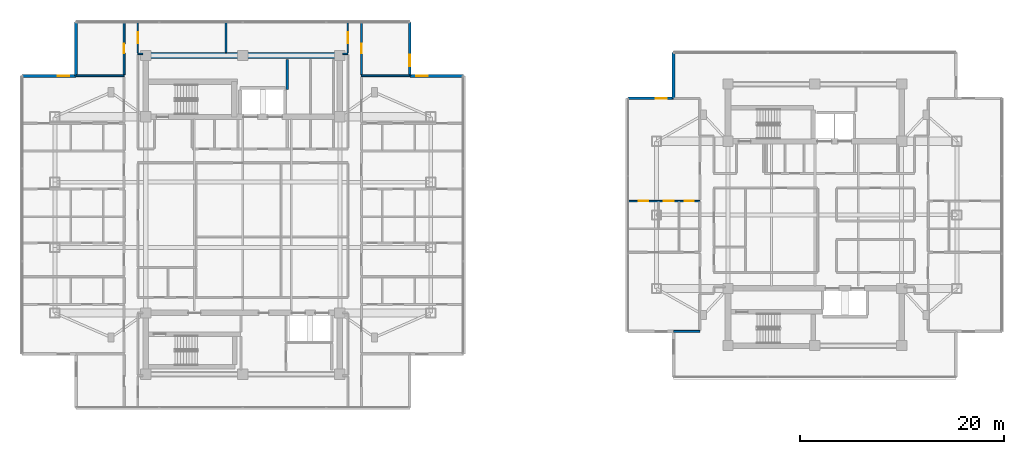
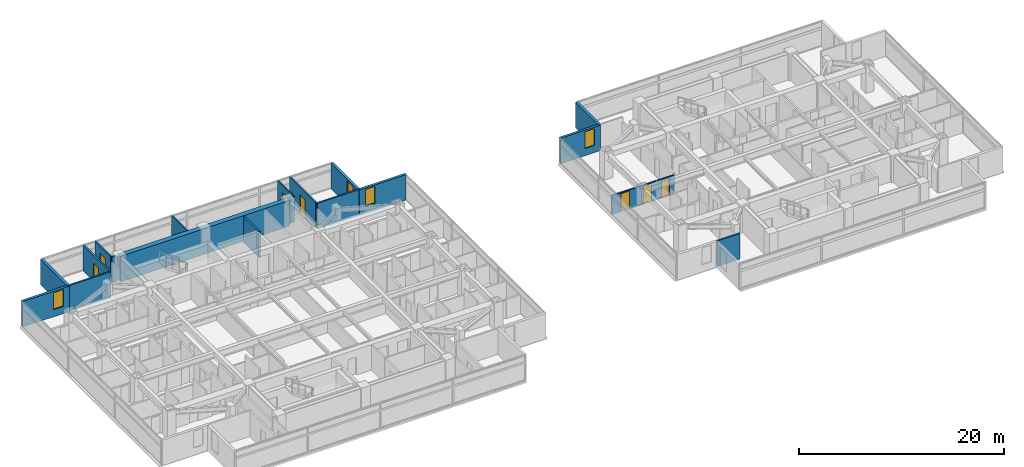
# One storey, part 16 of 25: 19 walls, 7 doors, 4 windows, 11 openings.
"""IFC4 building model written with IfcOpenShell, lengths in metres."""

from ifc_helpers import new_model, si_unit, direction, frame, frame_2d, origin, place, context, subcontext, project, spatial, rectangle, extrude, material, layer, layer_set, type_object, element, fill, save


model = new_model("IFC4")

# Units and contexts
model_context = context("Model", 3, precision=1e-05, world=origin(), true_north=direction((0.0, 1.0)))
body_context = subcontext(model_context, "Body", "Model", "MODEL_VIEW")
ifc_project = project(units=[si_unit("LENGTHUNIT", "METRE"), si_unit("AREAUNIT", "SQUARE_METRE"), si_unit("VOLUMEUNIT", "CUBIC_METRE"), si_unit("PLANEANGLEUNIT", "RADIAN"), si_unit("MASSUNIT", "GRAM", prefix="KILO")], contexts=[model_context])

# Site, building, storey
site_placement = place(None, origin())
site = spatial("IfcSite", under=ifc_project, at=site_placement, CompositionType="ELEMENT")
building_placement = place(site_placement, origin())
building = spatial("IfcBuilding", under=site, at=building_placement, Name="Mirazonda Arch Towers", CompositionType="ELEMENT")
storey_placement = place(building_placement, frame((0.0, 0.0, 177.14990234375)))
storey = spatial("IfcBuildingStorey", under=building, at=storey_placement, Name="L50", CompositionType="ELEMENT", Elevation=177.14990234375)

# Wall
ifc_material_1 = material(Name="Concrete C50/60", Category="concrete")
ifc_layer_1 = layer(ifc_material_1, 0.550048828125, Name="WALL-CORE-550")
ifc_layer_set_1 = layer_set([ifc_layer_1], Name="Concrete C50/60")
wall_type_1 = type_object("IfcWallType", Name="WALL-CORE-550", PredefinedType="SHEAR", material=ifc_layer_set_1)
wall_1_placement = place(storey_placement, frame((11.0, 43.60009765625, 0.0), z_axis=(0.0, 0.0, 1.0), x_axis=(1.0, 0.0, 0.0)))
element("IfcWall", 1, at=wall_1_placement, inside=storey, type_object=wall_type_1, Name="L50 T1N-N Core Shear Wall", PredefinedType="SHEAR", context=body_context, shape_type="SweptSolid", body=[
    extrude(rectangle(XDim=19.0, YDim=0.550048828125, at=frame_2d((9.5, 0.0))), origin(), (0.0, 0.0, 1.0), 3.050048828125),
])

# Wall, opening, window
ifc_material_2 = material(Name="Precast Concrete C40/50", Category="concrete")
ifc_layer_2 = layer(ifc_material_2, 0.280029296875, Name="WALL-EXT-WALL-280")
ifc_layer_set_2 = layer_set([ifc_layer_2], Name="Precast Concrete C40/50")
wall_type_2 = type_object("IfcWallType", Name="WALL-EXT-WALL-280", PredefinedType="SOLIDWALL", material=ifc_layer_set_2)
wall_2_placement = place(storey_placement, frame((36.844970703125, 41.611083984375, 0.0), z_axis=(0.0, 0.0, 1.0), x_axis=(0.0, 1.0, 0.0)))
wall_2 = element("IfcWall", 2, at=wall_2_placement, inside=storey, type_object=wall_type_2, Name="L50 T1 Notched NE Corner Wall WL-L50-T1-CNE", PredefinedType="SOLIDWALL", context=body_context, shape_type="SweptSolid", body=[
    extrude(rectangle(XDim=5.244873046875, YDim=0.280029296875, at=frame_2d((2.62255859375, 0.0))), origin(), (0.0, 0.0, 1.0), 3.030029296875),
])
opening_1_placement = place(wall_2_placement, frame((0.949951171875, 0.0, 0.85009765625)))
opening_1 = element("IfcOpeningElement", 3, at=opening_1_placement, cuts=wall_2, Name="Opening WN-108", PredefinedType="OPENING", context=body_context, shape_type="SweptSolid", body=[
    extrude(rectangle(XDim=1.10009765625, YDim=2.0, at=frame_2d((0.550048828125, 1.0))), frame((0.0, 0.14990234375, 0.0), z_axis=(0.0, -1.0, 0.0), x_axis=(1.0, 0.0, 0.0)), (0.0, 0.0, 1.0), 0.300048828125),
])
ifc_material_3 = material(Name="Insulated Low-E Solar Glass", Category="glass")
window_type = type_object("IfcWindowType", Name="WIN-NOTCH-1100x2000", PartitioningType="SINGLE_PANEL", PredefinedType="WINDOW", material=ifc_material_3)
window_1_placement = place(opening_1_placement, origin())
window_1 = element("IfcWindow", 4, at=window_1_placement, inside=storey, type_object=window_type, Name="L50 Punched Facade Window WN-L50-T1-CNE", OverallHeight=2.0, OverallWidth=1.10009765625, PartitioningType="SINGLE_PANEL", PredefinedType="WINDOW", context=body_context, shape_type="SweptSolid", body=[
    extrude(rectangle(XDim=1.10009765625, YDim=2.0, at=frame_2d((0.550048828125, 1.0))), frame((0.0, 0.030029296875, 0.0), z_axis=(0.0, -1.0, 0.0), x_axis=(1.0, 0.0, 0.0)), (0.0, 0.0, 1.0), 0.06005859375),
])
fill(opening_1, window_1)

wall_3_placement = place(storey_placement, frame((4.155029296875, 41.611083984375, 0.0), z_axis=(0.0, 0.0, 1.0), x_axis=(-1.0, 0.0, 0.0)))
wall_3 = element("IfcWall", 5, at=wall_3_placement, inside=storey, type_object=wall_type_2, Name="L50 T1 Corner Notch Return Wall WL-L50-T1-CNW1", PredefinedType="SOLIDWALL", context=body_context, shape_type="SweptSolid", body=[
    extrude(rectangle(XDim=5.2451171875, YDim=0.280029296875, at=frame_2d((2.62255859375, 0.0))), origin(), (0.0, 0.0, 1.0), 3.030029296875),
])
opening_2_placement = place(wall_3_placement, frame((0.64990234375, 0.0, 0.85009765625)))
opening_2 = element("IfcOpeningElement", 6, at=opening_2_placement, cuts=wall_3, Name="Opening WN-108", PredefinedType="OPENING", context=body_context, shape_type="SweptSolid", body=[
    extrude(rectangle(XDim=1.10009765625, YDim=2.0, at=frame_2d((0.550048828125, 1.0))), frame((0.0, 0.14990234375, 0.0), z_axis=(0.0, -1.0, 0.0), x_axis=(1.0, 0.0, 0.0)), (0.0, 0.0, 1.0), 0.300048828125),
])
window_2_placement = place(opening_2_placement, origin())
window_2 = element("IfcWindow", 7, at=window_2_placement, inside=storey, type_object=window_type, Name="L50 Punched Facade Window WN-L50-T1-CNW1", OverallHeight=2.0, OverallWidth=1.10009765625, PartitioningType="SINGLE_PANEL", PredefinedType="WINDOW", context=body_context, shape_type="SweptSolid", body=[
    extrude(rectangle(XDim=1.10009765625, YDim=2.0, at=frame_2d((0.550048828125, 1.0))), frame((0.0, 0.030029296875, 0.0), z_axis=(0.0, -1.0, 0.0), x_axis=(1.0, 0.0, 0.0)), (0.0, 0.0, 1.0), 0.06005859375),
])
fill(opening_2, window_2)

# Wall
wall_4_placement = place(storey_placement, frame((4.155029296875, 46.85595703125, 0.0), z_axis=(0.0, 0.0, 1.0), x_axis=(0.0, -1.0, 0.0)))
element("IfcWall", 8, at=wall_4_placement, inside=storey, type_object=wall_type_2, Name="L50 T1 Corner Notch Return Wall WL-L50-T1-CNW2", PredefinedType="SOLIDWALL", context=body_context, shape_type="SweptSolid", body=[
    extrude(rectangle(XDim=5.244873046875, YDim=0.280029296875, at=frame_2d((2.62255859375, 0.0))), origin(), (0.0, 0.0, 1.0), 3.030029296875),
])

# Wall, opening, window
wall_5_placement = place(storey_placement, frame((42.090087890625, 41.611083984375, 0.0), z_axis=(0.0, 0.0, 1.0), x_axis=(-1.0, 0.0, 0.0)))
wall_5 = element("IfcWall", 9, at=wall_5_placement, inside=storey, type_object=wall_type_2, Name="L50 T1 Corner Notch Return Wall WL-L50-T1-CNE2", PredefinedType="SOLIDWALL", context=body_context, shape_type="SweptSolid", body=[
    extrude(rectangle(XDim=5.2451171875, YDim=0.280029296875, at=frame_2d((2.62255859375, 0.0))), origin(), (0.0, 0.0, 1.0), 3.030029296875),
])
opening_3_placement = place(wall_5_placement, frame((3.4951171875, 0.0, 0.85009765625)))
opening_3 = element("IfcOpeningElement", 10, at=opening_3_placement, cuts=wall_5, Name="Opening WN-108", PredefinedType="OPENING", context=body_context, shape_type="SweptSolid", body=[
    extrude(rectangle(XDim=1.10009765625, YDim=2.0, at=frame_2d((0.550048828125, 1.0))), frame((0.0, 0.14990234375, 0.0), z_axis=(0.0, -1.0, 0.0), x_axis=(1.0, 0.0, 0.0)), (0.0, 0.0, 1.0), 0.300048828125),
])
window_3_placement = place(opening_3_placement, origin())
window_3 = element("IfcWindow", 11, at=window_3_placement, inside=storey, type_object=window_type, Name="L50 Punched Facade Window WN-L50-T1-CNE2", OverallHeight=2.0, OverallWidth=1.10009765625, PartitioningType="SINGLE_PANEL", PredefinedType="WINDOW", context=body_context, shape_type="SweptSolid", body=[
    extrude(rectangle(XDim=1.10009765625, YDim=2.0, at=frame_2d((0.550048828125, 1.0))), frame((0.0, 0.030029296875, 0.0), z_axis=(0.0, -1.0, 0.0), x_axis=(1.0, 0.0, 0.0)), (0.0, 0.0, 1.0), 0.06005859375),
])
fill(opening_3, window_3)

wall_6_placement = place(storey_placement, frame((62.666748046875, 39.409423828125, 0.0), z_axis=(0.0, 0.0, 1.0), x_axis=(-1.0, 0.0, 0.0)))
wall_6 = element("IfcWall", 12, at=wall_6_placement, inside=storey, type_object=wall_type_2, Name="L50 T2 Corner Notch Return Wall WL-L50-T2-CNW1", PredefinedType="SOLIDWALL", context=body_context, shape_type="SweptSolid", body=[
    extrude(rectangle(XDim=4.46533203125, YDim=0.280029296875, at=frame_2d((2.232666015625, 0.0))), origin(), (0.0, 0.0, 1.0), 3.030029296875),
])
opening_4_placement = place(wall_6_placement, frame((0.64990234375, 0.0, 0.85009765625)))
opening_4 = element("IfcOpeningElement", 13, at=opening_4_placement, cuts=wall_6, Name="Opening WN-108", PredefinedType="OPENING", context=body_context, shape_type="SweptSolid", body=[
    extrude(rectangle(XDim=1.10009765625, YDim=2.0, at=frame_2d((0.550048828125, 1.0))), frame((0.0, 0.14990234375, 0.0), z_axis=(0.0, -1.0, 0.0), x_axis=(1.0, 0.0, 0.0)), (0.0, 0.0, 1.0), 0.300048828125),
])
window_4_placement = place(opening_4_placement, origin())
window_4 = element("IfcWindow", 14, at=window_4_placement, inside=storey, type_object=window_type, Name="L50 Punched Facade Window WN-L50-T2-CNW1", OverallHeight=2.0, OverallWidth=1.10009765625, PartitioningType="SINGLE_PANEL", PredefinedType="WINDOW", context=body_context, shape_type="SweptSolid", body=[
    extrude(rectangle(XDim=1.10009765625, YDim=2.0, at=frame_2d((0.550048828125, 1.0))), frame((0.0, 0.030029296875, 0.0), z_axis=(0.0, -1.0, 0.0), x_axis=(1.0, 0.0, 0.0)), (0.0, 0.0, 1.0), 0.06005859375),
])
fill(opening_4, window_4)

# Walls
wall_7_placement = place(storey_placement, frame((62.666748046875, 43.87451171875, 0.0), z_axis=(0.0, 0.0, 1.0), x_axis=(0.0, -1.0, 0.0)))
element("IfcWall", 15, at=wall_7_placement, inside=storey, type_object=wall_type_2, Name="L50 T2 Corner Notch Return Wall WL-L50-T2-CNW2", PredefinedType="SOLIDWALL", context=body_context, shape_type="SweptSolid", body=[
    extrude(rectangle(XDim=4.465087890625, YDim=0.280029296875, at=frame_2d((2.232421875, 0.0))), origin(), (0.0, 0.0, 1.0), 3.030029296875),
])
ifc_material_4 = material(Name="Concrete C40/50", Category="concrete")
ifc_layer_3 = layer(ifc_material_4, 0.219970703125, Name="WALL-FFL-220")
ifc_layer_set_3 = layer_set([ifc_layer_3], Name="Concrete C40/50")
wall_type_3 = type_object("IfcWallType", Name="WALL-FFL-220", PredefinedType="SOLIDWALL", material=ifc_layer_set_3)
wall_8_placement = place(storey_placement, frame((24.85009765625, 40.260009765625, 0.0), z_axis=(0.0, 0.0, 1.0), x_axis=(0.0, 1.0, 0.0)))
element("IfcWall", 16, at=wall_8_placement, inside=storey, type_object=wall_type_3, Name="L50 Interior Partition 107", PredefinedType="SOLIDWALL", context=body_context, shape_type="SweptSolid", body=[
    extrude(rectangle(XDim=2.93994140625, YDim=0.219970703125, at=frame_2d((1.469970703125, 0.0))), origin(), (0.0, 0.0, 1.0), 3.050048828125),
])

# Wall, openings, doors
ifc_material_5 = material(Name="Fire-Rated Gypsum Stud Partition")
ifc_layer_4 = layer(ifc_material_5, 0.14990234375, Name="WALL-PART-CORR-150")
ifc_layer_set_4 = layer_set([ifc_layer_4], Name="Fire-Rated Gypsum Stud Partition")
wall_type_4 = type_object("IfcWallType", Name="WALL-PART-CORR-150", PredefinedType="PARTITIONING", material=ifc_layer_set_4)
wall_9_placement = place(storey_placement, frame((58.200927734375, 29.35205078125, 0.0), z_axis=(0.0, 0.0, 1.0), x_axis=(1.0, 0.0, 0.0)))
wall_9 = element("IfcWall", 17, at=wall_9_placement, inside=storey, type_object=wall_type_4, Name="L50 Interior Partition 038", PredefinedType="PARTITIONING", context=body_context, shape_type="SweptSolid", body=[
    extrude(rectangle(XDim=7.049072265625, YDim=0.14990234375, at=frame_2d((3.5244140625, 0.0))), origin(), (0.0, 0.0, 1.0), 2.26904296875),
])
opening_5_placement = place(wall_9_placement, frame((1.047607421875, 0.0, 0.0)))
opening_5 = element("IfcOpeningElement", 18, at=opening_5_placement, cuts=wall_9, Name="Opening DR-104", PredefinedType="OPENING", context=body_context, shape_type="SweptSolid", body=[
    extrude(rectangle(XDim=0.949951171875, YDim=2.14990234375, at=frame_2d((0.47509765625, 1.074951171875))), frame((0.0, 0.0849609375, 0.0), z_axis=(0.0, -1.0, 0.0), x_axis=(1.0, 0.0, 0.0)), (0.0, 0.0, 1.0), 0.169921875),
])
opening_6_placement = place(wall_9_placement, frame((3.531982421875, 0.0, 0.0)))
opening_6 = element("IfcOpeningElement", 19, at=opening_6_placement, cuts=wall_9, Name="Opening DR-104", PredefinedType="OPENING", context=body_context, shape_type="SweptSolid", body=[
    extrude(rectangle(XDim=0.949951171875, YDim=2.14990234375, at=frame_2d((0.47509765625, 1.074951171875))), frame((0.0, 0.0849609375, 0.0), z_axis=(0.0, -1.0, 0.0), x_axis=(1.0, 0.0, 0.0)), (0.0, 0.0, 1.0), 0.169921875),
])
opening_7_placement = place(wall_9_placement, frame((5.55908203125, 0.0, 0.0)))
opening_7 = element("IfcOpeningElement", 20, at=opening_7_placement, cuts=wall_9, Name="Opening DR-120", PredefinedType="OPENING", context=body_context, shape_type="SweptSolid", body=[
    extrude(rectangle(XDim=0.89990234375, YDim=2.10009765625, at=frame_2d((0.449951171875, 1.050048828125))), frame((0.0, 0.0849609375, 0.0), z_axis=(0.0, -1.0, 0.0), x_axis=(1.0, 0.0, 0.0)), (0.0, 0.0, 1.0), 0.169921875),
])
ifc_material_6 = material(Name="Architectural Brushed Steel S355", Category="steel")
door_type_1 = type_object("IfcDoorType", Name="DOOR-ROOM-950", OperationType="NOTDEFINED", PredefinedType="DOOR", material=ifc_material_6)
door_1_placement = place(opening_5_placement, origin())
door_1 = element("IfcDoor", 21, at=door_1_placement, inside=storey, type_object=door_type_1, Name="L50 Residence 2 Principal Bedroom Door", OperationType="SINGLE_SWING_RIGHT", OverallHeight=2.14990234375, OverallWidth=0.949951171875, PredefinedType="DOOR", context=body_context, shape_type="SweptSolid", body=[
    extrude(rectangle(XDim=0.949951171875, YDim=2.14990234375, at=frame_2d((0.47509765625, 1.074951171875))), frame((0.0, 0.02490234375, 0.0), z_axis=(0.0, -1.0, 0.0), x_axis=(1.0, 0.0, 0.0)), (0.0, 0.0, 1.0), 0.050048828125),
])
fill(opening_5, door_1)
door_2_placement = place(opening_6_placement, origin())
door_2 = element("IfcDoor", 22, at=door_2_placement, inside=storey, type_object=door_type_1, Name="L50 Residence 2 Fitted Kitchen Door", OperationType="SINGLE_SWING_LEFT", OverallHeight=2.14990234375, OverallWidth=0.949951171875, PredefinedType="DOOR", context=body_context, shape_type="SweptSolid", body=[
    extrude(rectangle(XDim=0.949951171875, YDim=2.14990234375, at=frame_2d((0.47509765625, 1.074951171875))), frame((0.0, 0.02490234375, 0.0), z_axis=(0.0, -1.0, 0.0), x_axis=(1.0, 0.0, 0.0)), (0.0, 0.0, 1.0), 0.050048828125),
])
fill(opening_6, door_2)
door_type_2 = type_object("IfcDoorType", Name="DOOR-WC-900", OperationType="NOTDEFINED", PredefinedType="DOOR", material=ifc_material_6)
door_3_placement = place(opening_7_placement, origin())
door_3 = element("IfcDoor", 23, at=door_3_placement, inside=storey, type_object=door_type_2, Name="L50 Residence 2 Bathroom Door", OperationType="SINGLE_SWING_RIGHT", OverallHeight=2.10009765625, OverallWidth=0.89990234375, PredefinedType="DOOR", context=body_context, shape_type="SweptSolid", body=[
    extrude(rectangle(XDim=0.89990234375, YDim=2.10009765625, at=frame_2d((0.449951171875, 1.050048828125))), frame((0.0, 0.02490234375, 0.0), z_axis=(0.0, -1.0, 0.0), x_axis=(1.0, 0.0, 0.0)), (0.0, 0.0, 1.0), 0.050048828125),
])
fill(opening_7, door_3)

# Walls
for number, where, z_axis, x_axis, name in (
    (24, (10.219970703125, 43.75, 0.0), (0.0, 0.0, 1.0), (1.0, 0.0, 0.0), "L50 Interior Partition 062"),
    (25, (30.27001953125, 43.75, 0.0), (0.0, 0.0, 1.0), (1.0, 0.0, 0.0), "L50 Interior Partition 063"),
):
    element("IfcWall", number, at=place(storey_placement, frame(where, z_axis=z_axis, x_axis=x_axis)), inside=storey, type_object=wall_type_4, Name=name, PredefinedType="PARTITIONING", context=body_context, shape_type="SweptSolid", body=[
        extrude(rectangle(XDim=0.510009765625, YDim=0.14990234375, at=frame_2d((0.2548828125, 0.0))), origin(), (0.0, 0.0, 1.0), 3.050048828125),
    ])

# Wall, opening, door
wall_10_placement = place(storey_placement, frame((10.219970703125, 43.8349609375, 0.0), z_axis=(0.0, 0.0, 1.0), x_axis=(0.0, 1.0, 0.0)))
wall_10 = element("IfcWall", 26, at=wall_10_placement, inside=storey, type_object=wall_type_4, Name="L50 Interior Partition 087", PredefinedType="PARTITIONING", context=body_context, shape_type="SweptSolid", body=[
    extrude(rectangle(XDim=3.02099609375, YDim=0.14990234375, at=frame_2d((1.510498046875, 0.0))), origin(), (0.0, 0.0, 1.0), 3.050048828125),
])
opening_8_placement = place(wall_10_placement, frame((0.985595703125, 0.0, 0.0)))
opening_8 = element("IfcOpeningElement", 27, at=opening_8_placement, cuts=wall_10, Name="Opening DR-121", PredefinedType="OPENING", context=body_context, shape_type="SweptSolid", body=[
    extrude(rectangle(XDim=1.050048828125, YDim=2.199951171875, at=frame_2d((0.52490234375, 1.10009765625))), frame((0.0, 0.0849609375, 0.0), z_axis=(0.0, -1.0, 0.0), x_axis=(1.0, 0.0, 0.0)), (0.0, 0.0, 1.0), 0.169921875),
])
door_type_3 = type_object("IfcDoorType", Name="DOOR-SUITE-FD60-1050", OperationType="NOTDEFINED", PredefinedType="DOOR", material=ifc_material_6)
door_4_placement = place(opening_8_placement, origin())
door_4 = element("IfcDoor", 28, at=door_4_placement, inside=storey, type_object=door_type_3, Name="L50 North Bay Sunroom West Door", OperationType="SINGLE_SWING_LEFT", OverallHeight=2.199951171875, OverallWidth=1.050048828125, PredefinedType="DOOR", context=body_context, shape_type="SweptSolid", body=[
    extrude(rectangle(XDim=1.050048828125, YDim=2.199951171875, at=frame_2d((0.52490234375, 1.10009765625))), frame((0.0, 0.02490234375, 0.0), z_axis=(0.0, -1.0, 0.0), x_axis=(1.0, 0.0, 0.0)), (0.0, 0.0, 1.0), 0.050048828125),
])
fill(opening_8, door_4)

# Wall
wall_11_placement = place(storey_placement, frame((18.85498046875, 43.8701171875, 0.0), z_axis=(0.0, 0.0, 1.0), x_axis=(0.0, 1.0, 0.0)))
element("IfcWall", 29, at=wall_11_placement, inside=storey, type_object=wall_type_4, Name="L50 Interior Partition 095", PredefinedType="PARTITIONING", context=body_context, shape_type="SweptSolid", body=[
    extrude(rectangle(XDim=2.98583984375, YDim=0.14990234375, at=frame_2d((1.492919921875, 0.0))), origin(), (0.0, 0.0, 1.0), 3.050048828125),
])

# Wall, opening, door
wall_12_placement = place(storey_placement, frame((30.780029296875, 43.8349609375, 0.0), z_axis=(0.0, 0.0, 1.0), x_axis=(0.0, 1.0, 0.0)))
wall_12 = element("IfcWall", 30, at=wall_12_placement, inside=storey, type_object=wall_type_4, Name="L50 Interior Partition 119", PredefinedType="PARTITIONING", context=body_context, shape_type="SweptSolid", body=[
    extrude(rectangle(XDim=3.02099609375, YDim=0.14990234375, at=frame_2d((1.510498046875, 0.0))), origin(), (0.0, 0.0, 1.0), 3.050048828125),
])
opening_9_placement = place(wall_12_placement, frame((0.985595703125, 0.0, 0.0)))
opening_9 = element("IfcOpeningElement", 31, at=opening_9_placement, cuts=wall_12, Name="Opening DR-121", PredefinedType="OPENING", context=body_context, shape_type="SweptSolid", body=[
    extrude(rectangle(XDim=1.050048828125, YDim=2.199951171875, at=frame_2d((0.52490234375, 1.10009765625))), frame((0.0, 0.0849609375, 0.0), z_axis=(0.0, -1.0, 0.0), x_axis=(1.0, 0.0, 0.0)), (0.0, 0.0, 1.0), 0.169921875),
])
door_5_placement = place(opening_9_placement, origin())
door_5 = element("IfcDoor", 32, at=door_5_placement, inside=storey, type_object=door_type_3, Name="L50 North Bay Sunroom East Door", OperationType="SINGLE_SWING_RIGHT", OverallHeight=2.199951171875, OverallWidth=1.050048828125, PredefinedType="DOOR", context=body_context, shape_type="SweptSolid", body=[
    extrude(rectangle(XDim=1.050048828125, YDim=2.199951171875, at=frame_2d((0.52490234375, 1.10009765625))), frame((0.0, 0.02490234375, 0.0), z_axis=(0.0, -1.0, 0.0), x_axis=(1.0, 0.0, 0.0)), (0.0, 0.0, 1.0), 0.050048828125),
])
fill(opening_9, door_5)

# Walls
ifc_material_7 = material(Name="Fire-Rated Gypsum Twin-Stud Assembly")
ifc_layer_5 = layer(ifc_material_7, 0.179931640625, Name="WALL-PART-DEMISE-180")
ifc_layer_set_5 = layer_set([ifc_layer_5], Name="Fire-Rated Gypsum Twin-Stud Assembly")
wall_type_5 = type_object("IfcWallType", Name="WALL-PART-DEMISE-180", PredefinedType="PARTITIONING", material=ifc_layer_set_5)
wall_13_placement = place(storey_placement, frame((62.686767578125, 16.591064453125, 0.0), z_axis=(0.0, 0.0, 1.0), x_axis=(1.0, 0.0, 0.0)))
element("IfcWall", 33, at=wall_13_placement, inside=storey, type_object=wall_type_5, Name="L50 Interior Partition 008", PredefinedType="PARTITIONING", context=body_context, shape_type="SweptSolid", body=[
    extrude(rectangle(XDim=2.563232421875, YDim=0.179931640625, at=frame_2d((1.28173828125, 0.0))), origin(), (0.0, 0.0, 1.0), 3.050048828125),
])
for number, where, z_axis, x_axis, name in (
    (34, (4.175048828125, 41.611083984375, 0.0), (0.0, 0.0, 1.0), (1.0, 0.0, 0.0), "L50 Interior Partition 060"),
    (35, (32.1201171875, 41.611083984375, 0.0), (0.0, 0.0, 1.0), (1.0, 0.0, 0.0), "L50 Interior Partition 061"),
):
    element("IfcWall", number, at=place(storey_placement, frame(where, z_axis=z_axis, x_axis=x_axis)), inside=storey, type_object=wall_type_5, Name=name, PredefinedType="PARTITIONING", context=body_context, shape_type="SweptSolid", body=[
        extrude(rectangle(XDim=4.704833984375, YDim=0.179931640625, at=frame_2d((2.3525390625, 0.0))), origin(), (0.0, 0.0, 1.0), 3.050048828125),
    ])

# Wall, opening, door
wall_14_placement = place(storey_placement, frame((8.8798828125, 41.7109375, 0.0), z_axis=(0.0, 0.0, 1.0), x_axis=(0.0, 1.0, 0.0)))
wall_14 = element("IfcWall", 36, at=wall_14_placement, inside=storey, type_object=wall_type_5, Name="L50 Interior Partition 081", PredefinedType="PARTITIONING", context=body_context, shape_type="SweptSolid", body=[
    extrude(rectangle(XDim=5.14501953125, YDim=0.179931640625, at=frame_2d((2.572509765625, 0.0))), origin(), (0.0, 0.0, 1.0), 3.050048828125),
])
opening_10_placement = place(wall_14_placement, frame((2.097412109375, 0.0, 0.0)))
opening_10 = element("IfcOpeningElement", 37, at=opening_10_placement, cuts=wall_14, Name="Opening DR-104", PredefinedType="OPENING", context=body_context, shape_type="SweptSolid", body=[
    extrude(rectangle(XDim=0.949951171875, YDim=2.14990234375, at=frame_2d((0.47509765625, 1.074951171875))), frame((0.0, 0.099853515625, 0.0), z_axis=(0.0, -1.0, 0.0), x_axis=(1.0, 0.0, 0.0)), (0.0, 0.0, 1.0), 0.199951171875),
])
door_6_placement = place(opening_10_placement, origin())
door_6 = element("IfcDoor", 38, at=door_6_placement, inside=storey, type_object=door_type_1, Name="L50 North Bay Sunroom Alcove West Door", OperationType="SINGLE_SWING_LEFT", OverallHeight=2.14990234375, OverallWidth=0.949951171875, PredefinedType="DOOR", context=body_context, shape_type="SweptSolid", body=[
    extrude(rectangle(XDim=0.949951171875, YDim=2.14990234375, at=frame_2d((0.47509765625, 1.074951171875))), frame((0.0, 0.02490234375, 0.0), z_axis=(0.0, -1.0, 0.0), x_axis=(1.0, 0.0, 0.0)), (0.0, 0.0, 1.0), 0.050048828125),
])
fill(opening_10, door_6)

wall_15_placement = place(storey_placement, frame((32.1201171875, 41.7109375, 0.0), z_axis=(0.0, 0.0, 1.0), x_axis=(0.0, 1.0, 0.0)))
wall_15 = element("IfcWall", 39, at=wall_15_placement, inside=storey, type_object=wall_type_5, Name="L50 Interior Partition 129", PredefinedType="PARTITIONING", context=body_context, shape_type="SweptSolid", body=[
    extrude(rectangle(XDim=5.14501953125, YDim=0.179931640625, at=frame_2d((2.572509765625, 0.0))), origin(), (0.0, 0.0, 1.0), 3.050048828125),
])
opening_11_placement = place(wall_15_placement, frame((2.097412109375, 0.0, 0.0)))
opening_11 = element("IfcOpeningElement", 40, at=opening_11_placement, cuts=wall_15, Name="Opening DR-104", PredefinedType="OPENING", context=body_context, shape_type="SweptSolid", body=[
    extrude(rectangle(XDim=0.949951171875, YDim=2.14990234375, at=frame_2d((0.47509765625, 1.074951171875))), frame((0.0, 0.099853515625, 0.0), z_axis=(0.0, -1.0, 0.0), x_axis=(1.0, 0.0, 0.0)), (0.0, 0.0, 1.0), 0.199951171875),
])
door_7_placement = place(opening_11_placement, origin())
door_7 = element("IfcDoor", 41, at=door_7_placement, inside=storey, type_object=door_type_1, Name="L50 North Bay Sunroom Alcove East Door", OperationType="SINGLE_SWING_RIGHT", OverallHeight=2.14990234375, OverallWidth=0.949951171875, PredefinedType="DOOR", context=body_context, shape_type="SweptSolid", body=[
    extrude(rectangle(XDim=0.949951171875, YDim=2.14990234375, at=frame_2d((0.47509765625, 1.074951171875))), frame((0.0, 0.02490234375, 0.0), z_axis=(0.0, -1.0, 0.0), x_axis=(1.0, 0.0, 0.0)), (0.0, 0.0, 1.0), 0.050048828125),
])
fill(opening_11, door_7)

save(model, "model.ifc")
